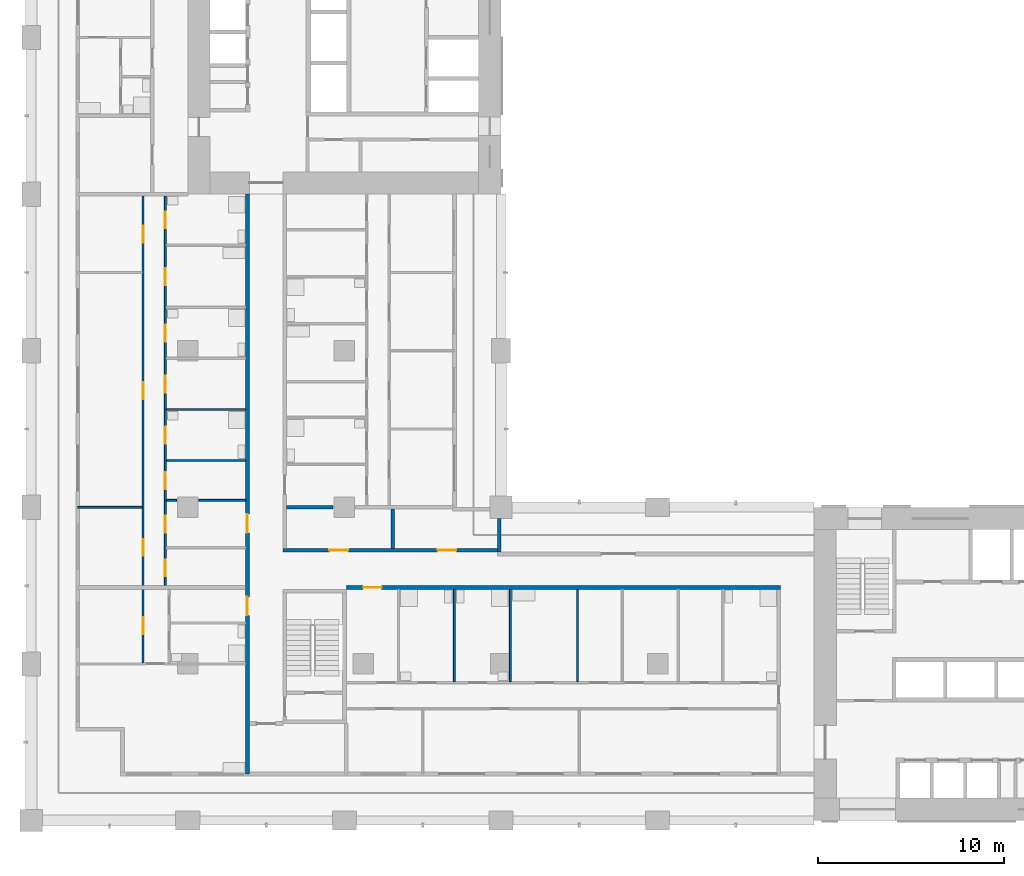
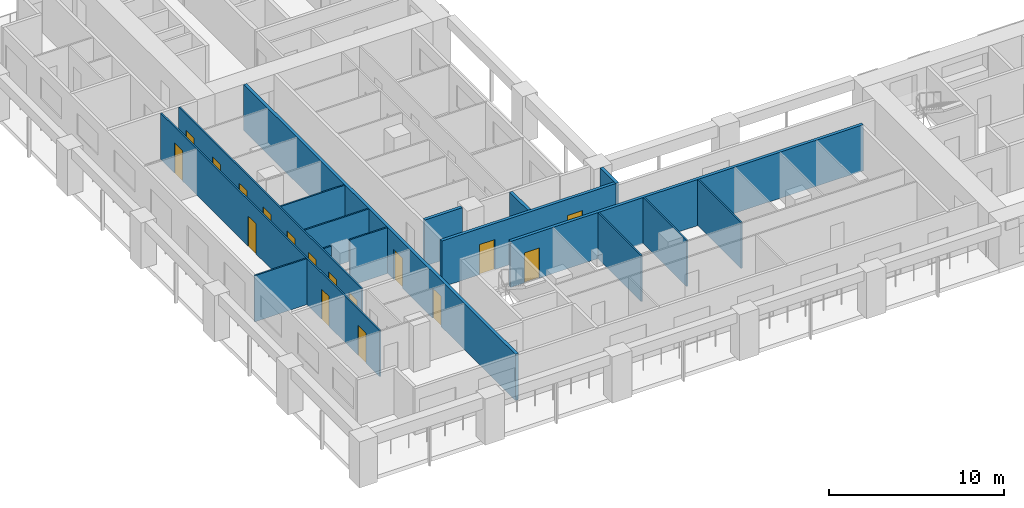
# One storey, part 3 of 16: 17 doors, 16 walls, 17 openings.
"""IFC4 building model written with IfcOpenShell, lengths in metres."""

from ifc_helpers import new_model, si_unit, direction, frame, frame_2d, origin, place, context, subcontext, project, spatial, rectangle, extrude, material, layer, layer_set, type_object, element, fill, save


model = new_model("IFC4")

# Units and contexts
model_context = context("Model", 3, precision=1e-05, world=origin(), true_north=direction((0.0, 1.0)))
body_context = subcontext(model_context, "Body", "Model", "MODEL_VIEW")
ifc_project = project(units=[si_unit("LENGTHUNIT", "METRE"), si_unit("AREAUNIT", "SQUARE_METRE"), si_unit("VOLUMEUNIT", "CUBIC_METRE"), si_unit("PLANEANGLEUNIT", "RADIAN"), si_unit("MASSUNIT", "GRAM", prefix="KILO")], contexts=[model_context])

# Site, building, storey
site_placement = place(None, origin())
site = spatial("IfcSite", under=ifc_project, at=site_placement, CompositionType="ELEMENT")
building_placement = place(site_placement, origin())
building = spatial("IfcBuilding", under=site, at=building_placement, Name="Vermilion Gate Residences", CompositionType="ELEMENT")
storey_placement = place(building_placement, frame((0.0, 0.0, 126.699951171875)))
storey = spatial("IfcBuildingStorey", under=building, at=storey_placement, Name="L32", CompositionType="ELEMENT", Elevation=126.699951171875)

# Walls
ifc_material_1 = material(Name="Insulated steel stud wall with terracotta rainscreen", Category="masonry")
ifc_layer_1 = layer(ifc_material_1, 0.199951171875)
ifc_layer_set_1 = layer_set([ifc_layer_1], Name="EXTERNAL WALL 200 TERRACOTTA RAINSCREEN")
wall_type_1 = type_object("IfcWallType", Name="EXTERNAL WALL 200 TERRACOTTA RAINSCREEN", PredefinedType="SOLIDWALL", material=ifc_layer_set_1)
wall_1_placement = place(storey_placement, frame((25.10009765625, 22.800048828125, 0.0), z_axis=(0.0, 0.0, 1.0), x_axis=(0.0, 1.0, 0.0)))
element("IfcWall", 1, at=wall_1_placement, inside=storey, type_object=wall_type_1, Name="External wall", PredefinedType="SOLIDWALL", context=body_context, shape_type="SweptSolid", body=[
    extrude(rectangle(XDim=1.800048828125, YDim=0.199951171875, at=frame_2d((0.89990234375, 0.0))), origin(), (0.0, 0.0, 1.0), 3.219970703125),
])
ifc_material_2 = material(Name="Plasterboard on steel studs", Category="steel")
ifc_layer_2 = layer(ifc_material_2, 0.10009765625)
ifc_layer_set_2 = layer_set([ifc_layer_2], Name="PARTITION 100")
wall_type_2 = type_object("IfcWallType", Name="PARTITION 100", PredefinedType="PARTITIONING", material=ifc_layer_set_2)
wall_2_placement = place(storey_placement, frame((2.5, 25.199951171875, 0.0), z_axis=(0.0, 0.0, 1.0), x_axis=(1.0, 0.0, 0.0)))
element("IfcWall", 2, at=wall_2_placement, inside=storey, type_object=wall_type_2, Name="Partition", PredefinedType="PARTITIONING", context=body_context, shape_type="SweptSolid", body=[
    extrude(rectangle(XDim=3.449951171875, YDim=0.10009765625, at=frame_2d((1.72509765625, 0.0))), origin(), (0.0, 0.0, 1.0), 3.219970703125),
])
wall_3_placement = place(storey_placement, frame((7.25, 25.574951171875, 0.0), z_axis=(0.0, 0.0, 1.0), x_axis=(1.0, 0.0, 0.0)))
element("IfcWall", 3, at=wall_3_placement, inside=storey, type_object=wall_type_2, Name="Partition", PredefinedType="PARTITIONING", context=body_context, shape_type="SweptSolid", body=[
    extrude(rectangle(XDim=0.550048828125, YDim=0.10009765625, at=frame_2d((0.27490234375, 0.0))), origin(), (0.0, 0.0, 1.0), 3.219970703125),
])
wall_4_placement = place(storey_placement, frame((9.0, 25.574951171875, 0.0), z_axis=(0.0, 0.0, 1.0), x_axis=(1.0, 0.0, 0.0)))
element("IfcWall", 4, at=wall_4_placement, inside=storey, type_object=wall_type_2, Name="Partition", PredefinedType="PARTITIONING", context=body_context, shape_type="SweptSolid", body=[
    extrude(rectangle(XDim=2.5, YDim=0.10009765625, at=frame_2d((1.25, 0.0))), origin(), (0.0, 0.0, 1.0), 3.219970703125),
])
for number, where, z_axis, x_axis, name in (
    (5, (7.25, 27.712890625, 0.0), (0.0, 0.0, 1.0), (1.0, 0.0, 0.0), "Partition"),
    (6, (7.25, 30.449951171875, 0.0), (0.0, 0.0, 1.0), (1.0, 0.0, 0.0), "Partition"),
):
    element("IfcWall", number, at=place(storey_placement, frame(where, z_axis=z_axis, x_axis=x_axis)), inside=storey, type_object=wall_type_2, Name=name, PredefinedType="PARTITIONING", context=body_context, shape_type="SweptSolid", body=[
        extrude(rectangle(XDim=4.25, YDim=0.10009765625, at=frame_2d((2.125, 0.0))), origin(), (0.0, 0.0, 1.0), 3.219970703125),
    ])

# Wall, openings, doors
wall_5_placement = place(storey_placement, frame((6.0, 16.85009765625, 0.0), z_axis=(0.0, 0.0, 1.0), x_axis=(0.0, 1.0, 0.0)))
wall_5 = element("IfcWall", 7, at=wall_5_placement, inside=storey, type_object=wall_type_2, Name="Partition", PredefinedType="PARTITIONING", context=body_context, shape_type="SweptSolid", body=[
    extrude(rectangle(XDim=25.0498046875, YDim=0.10009765625, at=frame_2d((12.52490234375, 0.0))), origin(), (0.0, 0.0, 1.0), 3.219970703125),
])
opening_1_placement = place(wall_5_placement, frame((1.550048828125, 0.0, 0.0)))
opening_1 = element("IfcOpeningElement", 8, at=opening_1_placement, cuts=wall_5, Name="Opening DA32020", PredefinedType="OPENING", context=body_context, shape_type="SweptSolid", body=[
    extrude(rectangle(XDim=0.89990234375, YDim=2.10009765625, at=frame_2d((0.449951171875, 1.050048828125))), frame((0.0, 0.06005859375, 0.0), z_axis=(0.0, -1.0, 0.0), x_axis=(1.0, 0.0, 0.0)), (0.0, 0.0, 1.0), 0.1201171875),
])
opening_2_placement = place(wall_5_placement, frame((5.75, 0.0, 0.0)))
opening_2 = element("IfcOpeningElement", 9, at=opening_2_placement, cuts=wall_5, Name="Opening DA32021", PredefinedType="OPENING", context=body_context, shape_type="SweptSolid", body=[
    extrude(rectangle(XDim=0.89990234375, YDim=2.10009765625, at=frame_2d((0.449951171875, 1.050048828125))), frame((0.0, 0.06005859375, 0.0), z_axis=(0.0, -1.0, 0.0), x_axis=(1.0, 0.0, 0.0)), (0.0, 0.0, 1.0), 0.1201171875),
])
opening_3_placement = place(wall_5_placement, frame((14.14990234375, 0.0, 0.0)))
opening_3 = element("IfcOpeningElement", 10, at=opening_3_placement, cuts=wall_5, Name="Opening DA32022", PredefinedType="OPENING", context=body_context, shape_type="SweptSolid", body=[
    extrude(rectangle(XDim=0.89990234375, YDim=2.10009765625, at=frame_2d((0.449951171875, 1.050048828125))), frame((0.0, 0.06005859375, 0.0), z_axis=(0.0, -1.0, 0.0), x_axis=(1.0, 0.0, 0.0)), (0.0, 0.0, 1.0), 0.1201171875),
])
opening_4_placement = place(wall_5_placement, frame((22.550048828125, 0.0, 0.0)))
opening_4 = element("IfcOpeningElement", 11, at=opening_4_placement, cuts=wall_5, Name="Opening DA32023", PredefinedType="OPENING", context=body_context, shape_type="SweptSolid", body=[
    extrude(rectangle(XDim=0.89990234375, YDim=2.10009765625, at=frame_2d((0.449951171875, 1.050048828125))), frame((0.0, 0.06005859375, 0.0), z_axis=(0.0, -1.0, 0.0), x_axis=(1.0, 0.0, 0.0)), (0.0, 0.0, 1.0), 0.1201171875),
])
ifc_material_3 = material(Name="Timber", Category="wood")
door_type_1 = type_object("IfcDoorType", Name="INTERIOR DOOR 900 X 2100", OperationType="SINGLE_SWING_LEFT", PredefinedType="DOOR", material=ifc_material_3)
door_1_placement = place(opening_1_placement, origin())
door_1 = element("IfcDoor", 12, at=door_1_placement, inside=storey, type_object=door_type_1, Name="Interior door", OperationType="SINGLE_SWING_RIGHT", OverallHeight=2.10009765625, OverallWidth=0.89990234375, PredefinedType="DOOR", context=body_context, shape_type="SweptSolid", body=[
    extrude(rectangle(XDim=0.89990234375, YDim=2.10009765625, at=frame_2d((0.449951171875, 1.050048828125))), frame((0.0, 0.02490234375, 0.0), z_axis=(0.0, -1.0, 0.0), x_axis=(1.0, 0.0, 0.0)), (0.0, 0.0, 1.0), 0.050048828125),
])
fill(opening_1, door_1)
door_2_placement = place(opening_2_placement, origin())
door_2 = element("IfcDoor", 13, at=door_2_placement, inside=storey, type_object=door_type_1, Name="Interior door", OperationType="SINGLE_SWING_LEFT", OverallHeight=2.10009765625, OverallWidth=0.89990234375, PredefinedType="DOOR", context=body_context, shape_type="SweptSolid", body=[
    extrude(rectangle(XDim=0.89990234375, YDim=2.10009765625, at=frame_2d((0.449951171875, 1.050048828125))), frame((0.0, 0.02490234375, 0.0), z_axis=(0.0, -1.0, 0.0), x_axis=(1.0, 0.0, 0.0)), (0.0, 0.0, 1.0), 0.050048828125),
])
fill(opening_2, door_2)
door_3_placement = place(opening_3_placement, origin())
door_3 = element("IfcDoor", 14, at=door_3_placement, inside=storey, type_object=door_type_1, Name="Interior door", OperationType="SINGLE_SWING_LEFT", OverallHeight=2.10009765625, OverallWidth=0.89990234375, PredefinedType="DOOR", context=body_context, shape_type="SweptSolid", body=[
    extrude(rectangle(XDim=0.89990234375, YDim=2.10009765625, at=frame_2d((0.449951171875, 1.050048828125))), frame((0.0, 0.02490234375, 0.0), z_axis=(0.0, -1.0, 0.0), x_axis=(1.0, 0.0, 0.0)), (0.0, 0.0, 1.0), 0.050048828125),
])
fill(opening_3, door_3)
door_4_placement = place(opening_4_placement, origin())
door_4 = element("IfcDoor", 15, at=door_4_placement, inside=storey, type_object=door_type_1, Name="Interior door", OperationType="SINGLE_SWING_LEFT", OverallHeight=2.10009765625, OverallWidth=0.89990234375, PredefinedType="DOOR", context=body_context, shape_type="SweptSolid", body=[
    extrude(rectangle(XDim=0.89990234375, YDim=2.10009765625, at=frame_2d((0.449951171875, 1.050048828125))), frame((0.0, 0.02490234375, 0.0), z_axis=(0.0, -1.0, 0.0), x_axis=(1.0, 0.0, 0.0)), (0.0, 0.0, 1.0), 0.050048828125),
])
fill(opening_4, door_4)

wall_6_placement = place(storey_placement, frame((7.199951171875, 21.0, 0.0), z_axis=(0.0, 0.0, 1.0), x_axis=(0.0, 1.0, 0.0)))
wall_6 = element("IfcWall", 16, at=wall_6_placement, inside=storey, type_object=wall_type_2, Name="Partition", PredefinedType="PARTITIONING", context=body_context, shape_type="SweptSolid", body=[
    extrude(rectangle(XDim=20.89990234375, YDim=0.10009765625, at=frame_2d((10.449951171875, 0.0))), origin(), (0.0, 0.0, 1.0), 3.219970703125),
])
opening_5_placement = place(wall_6_placement, frame((2.8369140625, 0.0, 0.0)))
opening_5 = element("IfcOpeningElement", 17, at=opening_5_placement, cuts=wall_6, Name="Opening DA32026", PredefinedType="OPENING", context=body_context, shape_type="SweptSolid", body=[
    extrude(rectangle(XDim=0.89990234375, YDim=2.10009765625, at=frame_2d((0.449951171875, 1.050048828125))), frame((0.0, 0.06005859375, 0.0), z_axis=(0.0, -1.0, 0.0), x_axis=(1.0, 0.0, 0.0)), (0.0, 0.0, 1.0), 0.1201171875),
])
opening_6_placement = place(wall_6_placement, frame((0.5, 0.0, 0.0)))
opening_6 = element("IfcOpeningElement", 18, at=opening_6_placement, cuts=wall_6, Name="Opening DA32027", PredefinedType="OPENING", context=body_context, shape_type="SweptSolid", body=[
    extrude(rectangle(XDim=0.89990234375, YDim=2.10009765625, at=frame_2d((0.449951171875, 1.050048828125))), frame((0.0, 0.06005859375, 0.0), z_axis=(0.0, -1.0, 0.0), x_axis=(1.0, 0.0, 0.0)), (0.0, 0.0, 1.0), 0.1201171875),
])
opening_7_placement = place(wall_6_placement, frame((5.175048828125, 0.0, 0.0)))
opening_7 = element("IfcOpeningElement", 19, at=opening_7_placement, cuts=wall_6, Name="Opening DA32028", PredefinedType="OPENING", context=body_context, shape_type="SweptSolid", body=[
    extrude(rectangle(XDim=0.89990234375, YDim=2.10009765625, at=frame_2d((0.449951171875, 1.050048828125))), frame((0.0, 0.06005859375, 0.0), z_axis=(0.0, -1.0, 0.0), x_axis=(1.0, 0.0, 0.0)), (0.0, 0.0, 1.0), 0.1201171875),
])
opening_8_placement = place(wall_6_placement, frame((7.613037109375, 0.0, 0.0)))
opening_8 = element("IfcOpeningElement", 20, at=opening_8_placement, cuts=wall_6, Name="Opening DA32029", PredefinedType="OPENING", context=body_context, shape_type="SweptSolid", body=[
    extrude(rectangle(XDim=0.89990234375, YDim=2.10009765625, at=frame_2d((0.449951171875, 1.050048828125))), frame((0.0, 0.06005859375, 0.0), z_axis=(0.0, -1.0, 0.0), x_axis=(1.0, 0.0, 0.0)), (0.0, 0.0, 1.0), 0.1201171875),
])
opening_9_placement = place(wall_6_placement, frame((10.35009765625, 0.0, 0.0)))
opening_9 = element("IfcOpeningElement", 21, at=opening_9_placement, cuts=wall_6, Name="Opening DA32030", PredefinedType="OPENING", context=body_context, shape_type="SweptSolid", body=[
    extrude(rectangle(XDim=0.89990234375, YDim=2.10009765625, at=frame_2d((0.449951171875, 1.050048828125))), frame((0.0, 0.06005859375, 0.0), z_axis=(0.0, -1.0, 0.0), x_axis=(1.0, 0.0, 0.0)), (0.0, 0.0, 1.0), 0.1201171875),
])
opening_10_placement = place(wall_6_placement, frame((13.087890625, 0.0, 0.0)))
opening_10 = element("IfcOpeningElement", 22, at=opening_10_placement, cuts=wall_6, Name="Opening DA32031", PredefinedType="OPENING", context=body_context, shape_type="SweptSolid", body=[
    extrude(rectangle(XDim=0.89990234375, YDim=2.10009765625, at=frame_2d((0.449951171875, 1.050048828125))), frame((0.0, 0.06005859375, 0.0), z_axis=(0.0, -1.0, 0.0), x_axis=(1.0, 0.0, 0.0)), (0.0, 0.0, 1.0), 0.1201171875),
])
opening_11_placement = place(wall_6_placement, frame((16.125, 0.0, 0.0)))
opening_11 = element("IfcOpeningElement", 23, at=opening_11_placement, cuts=wall_6, Name="Opening DA32032", PredefinedType="OPENING", context=body_context, shape_type="SweptSolid", body=[
    extrude(rectangle(XDim=0.89990234375, YDim=2.10009765625, at=frame_2d((0.449951171875, 1.050048828125))), frame((0.0, 0.06005859375, 0.0), z_axis=(0.0, -1.0, 0.0), x_axis=(1.0, 0.0, 0.0)), (0.0, 0.0, 1.0), 0.1201171875),
])
opening_12_placement = place(wall_6_placement, frame((19.1630859375, 0.0, 0.0)))
opening_12 = element("IfcOpeningElement", 24, at=opening_12_placement, cuts=wall_6, Name="Opening DA32033", PredefinedType="OPENING", context=body_context, shape_type="SweptSolid", body=[
    extrude(rectangle(XDim=0.89990234375, YDim=2.10009765625, at=frame_2d((0.449951171875, 1.050048828125))), frame((0.0, 0.06005859375, 0.0), z_axis=(0.0, -1.0, 0.0), x_axis=(1.0, 0.0, 0.0)), (0.0, 0.0, 1.0), 0.1201171875),
])
door_5_placement = place(opening_5_placement, frame((0.89990234375, 0.0, 0.0), z_axis=(0.0, 0.0, 1.0), x_axis=(-1.0, 0.0, 0.0)))
door_5 = element("IfcDoor", 25, at=door_5_placement, inside=storey, type_object=door_type_1, Name="Interior door", OperationType="SINGLE_SWING_RIGHT", OverallHeight=2.10009765625, OverallWidth=0.89990234375, PredefinedType="DOOR", context=body_context, shape_type="SweptSolid", body=[
    extrude(rectangle(XDim=0.89990234375, YDim=2.10009765625, at=frame_2d((0.449951171875, 1.050048828125))), frame((0.0, 0.02490234375, 0.0), z_axis=(0.0, -1.0, 0.0), x_axis=(1.0, 0.0, 0.0)), (0.0, 0.0, 1.0), 0.050048828125),
])
fill(opening_5, door_5)
door_6_placement = place(opening_6_placement, frame((0.89990234375, 0.0, 0.0), z_axis=(0.0, 0.0, 1.0), x_axis=(-1.0, 0.0, 0.0)))
door_6 = element("IfcDoor", 26, at=door_6_placement, inside=storey, type_object=door_type_1, Name="Interior door", OperationType="SINGLE_SWING_RIGHT", OverallHeight=2.10009765625, OverallWidth=0.89990234375, PredefinedType="DOOR", context=body_context, shape_type="SweptSolid", body=[
    extrude(rectangle(XDim=0.89990234375, YDim=2.10009765625, at=frame_2d((0.449951171875, 1.050048828125))), frame((0.0, 0.02490234375, 0.0), z_axis=(0.0, -1.0, 0.0), x_axis=(1.0, 0.0, 0.0)), (0.0, 0.0, 1.0), 0.050048828125),
])
fill(opening_6, door_6)
door_7_placement = place(opening_7_placement, frame((0.89990234375, 0.0, 0.0), z_axis=(0.0, 0.0, 1.0), x_axis=(-1.0, 0.0, 0.0)))
door_7 = element("IfcDoor", 27, at=door_7_placement, inside=storey, type_object=door_type_1, Name="Interior door", OperationType="SINGLE_SWING_RIGHT", OverallHeight=2.10009765625, OverallWidth=0.89990234375, PredefinedType="DOOR", context=body_context, shape_type="SweptSolid", body=[
    extrude(rectangle(XDim=0.89990234375, YDim=2.10009765625, at=frame_2d((0.449951171875, 1.050048828125))), frame((0.0, 0.02490234375, 0.0), z_axis=(0.0, -1.0, 0.0), x_axis=(1.0, 0.0, 0.0)), (0.0, 0.0, 1.0), 0.050048828125),
])
fill(opening_7, door_7)
door_8_placement = place(opening_8_placement, frame((0.89990234375, 0.0, 0.0), z_axis=(0.0, 0.0, 1.0), x_axis=(-1.0, 0.0, 0.0)))
door_8 = element("IfcDoor", 28, at=door_8_placement, inside=storey, type_object=door_type_1, Name="Interior door", OperationType="SINGLE_SWING_LEFT", OverallHeight=2.10009765625, OverallWidth=0.89990234375, PredefinedType="DOOR", context=body_context, shape_type="SweptSolid", body=[
    extrude(rectangle(XDim=0.89990234375, YDim=2.10009765625, at=frame_2d((0.449951171875, 1.050048828125))), frame((0.0, 0.02490234375, 0.0), z_axis=(0.0, -1.0, 0.0), x_axis=(1.0, 0.0, 0.0)), (0.0, 0.0, 1.0), 0.050048828125),
])
fill(opening_8, door_8)
door_9_placement = place(opening_9_placement, frame((0.89990234375, 0.0, 0.0), z_axis=(0.0, 0.0, 1.0), x_axis=(-1.0, 0.0, 0.0)))
door_9 = element("IfcDoor", 29, at=door_9_placement, inside=storey, type_object=door_type_1, Name="Interior door", OperationType="SINGLE_SWING_RIGHT", OverallHeight=2.10009765625, OverallWidth=0.89990234375, PredefinedType="DOOR", context=body_context, shape_type="SweptSolid", body=[
    extrude(rectangle(XDim=0.89990234375, YDim=2.10009765625, at=frame_2d((0.449951171875, 1.050048828125))), frame((0.0, 0.02490234375, 0.0), z_axis=(0.0, -1.0, 0.0), x_axis=(1.0, 0.0, 0.0)), (0.0, 0.0, 1.0), 0.050048828125),
])
fill(opening_9, door_9)
door_10_placement = place(opening_10_placement, frame((0.89990234375, 0.0, 0.0), z_axis=(0.0, 0.0, 1.0), x_axis=(-1.0, 0.0, 0.0)))
door_10 = element("IfcDoor", 30, at=door_10_placement, inside=storey, type_object=door_type_1, Name="Interior door", OperationType="SINGLE_SWING_LEFT", OverallHeight=2.10009765625, OverallWidth=0.89990234375, PredefinedType="DOOR", context=body_context, shape_type="SweptSolid", body=[
    extrude(rectangle(XDim=0.89990234375, YDim=2.10009765625, at=frame_2d((0.449951171875, 1.050048828125))), frame((0.0, 0.02490234375, 0.0), z_axis=(0.0, -1.0, 0.0), x_axis=(1.0, 0.0, 0.0)), (0.0, 0.0, 1.0), 0.050048828125),
])
fill(opening_10, door_10)
door_11_placement = place(opening_11_placement, frame((0.89990234375, 0.0, 0.0), z_axis=(0.0, 0.0, 1.0), x_axis=(-1.0, 0.0, 0.0)))
door_11 = element("IfcDoor", 31, at=door_11_placement, inside=storey, type_object=door_type_1, Name="Interior door", OperationType="SINGLE_SWING_RIGHT", OverallHeight=2.10009765625, OverallWidth=0.89990234375, PredefinedType="DOOR", context=body_context, shape_type="SweptSolid", body=[
    extrude(rectangle(XDim=0.89990234375, YDim=2.10009765625, at=frame_2d((0.449951171875, 1.050048828125))), frame((0.0, 0.02490234375, 0.0), z_axis=(0.0, -1.0, 0.0), x_axis=(1.0, 0.0, 0.0)), (0.0, 0.0, 1.0), 0.050048828125),
])
fill(opening_11, door_11)
door_12_placement = place(opening_12_placement, frame((0.89990234375, 0.0, 0.0), z_axis=(0.0, 0.0, 1.0), x_axis=(-1.0, 0.0, 0.0)))
door_12 = element("IfcDoor", 32, at=door_12_placement, inside=storey, type_object=door_type_1, Name="Interior door", OperationType="SINGLE_SWING_LEFT", OverallHeight=2.10009765625, OverallWidth=0.89990234375, PredefinedType="DOOR", context=body_context, shape_type="SweptSolid", body=[
    extrude(rectangle(XDim=0.89990234375, YDim=2.10009765625, at=frame_2d((0.449951171875, 1.050048828125))), frame((0.0, 0.02490234375, 0.0), z_axis=(0.0, -1.0, 0.0), x_axis=(1.0, 0.0, 0.0)), (0.0, 0.0, 1.0), 0.050048828125),
])
fill(opening_12, door_12)

# Walls
for number, where, z_axis, x_axis, name in (
    (33, (22.699951171875, 15.85009765625, 0.0), (0.0, 0.0, 1.0), (0.0, 1.0, 0.0), "Partition"),
    (34, (25.699951171875, 15.85009765625, 0.0), (0.0, 0.0, 1.0), (0.0, 1.0, 0.0), "Partition"),
    (35, (29.300048828125, 15.85009765625, 0.0), (0.0, 0.0, 1.0), (0.0, 1.0, 0.0), "Partition"),
):
    element("IfcWall", number, at=place(storey_placement, frame(where, z_axis=z_axis, x_axis=x_axis)), inside=storey, type_object=wall_type_2, Name=name, PredefinedType="PARTITIONING", context=body_context, shape_type="SweptSolid", body=[
        extrude(rectangle(XDim=4.949951171875, YDim=0.10009765625, at=frame_2d((2.47509765625, 0.0))), origin(), (0.0, 0.0, 1.0), 3.219970703125),
    ])

# Wall, opening, door
ifc_material_4 = material(Name="Fire-rated plasterboard on steel studs", Category="steel")
ifc_layer_3 = layer(ifc_material_4, 0.199951171875)
ifc_layer_set_3 = layer_set([ifc_layer_3], Name="PARTY WALL 200 EI 120")
wall_type_3 = type_object("IfcWallType", Name="PARTY WALL 200 EI 120", PredefinedType="PARTITIONING", material=ifc_layer_set_3)
wall_7_placement = place(storey_placement, frame((16.89990234375, 20.89990234375, 0.0), z_axis=(0.0, 0.0, 1.0), x_axis=(1.0, 0.0, 0.0)))
wall_7 = element("IfcWall", 36, at=wall_7_placement, inside=storey, type_object=wall_type_3, Name="Party and corridor wall", PredefinedType="PARTITIONING", context=body_context, shape_type="SweptSolid", body=[
    extrude(rectangle(XDim=23.300048828125, YDim=0.199951171875, at=frame_2d((11.64990234375, 0.0))), origin(), (0.0, 0.0, 1.0), 3.219970703125),
])
opening_13_placement = place(wall_7_placement, frame((0.89990234375, 0.0, 0.0)))
opening_13 = element("IfcOpeningElement", 37, at=opening_13_placement, cuts=wall_7, Name="Opening DA32014", PredefinedType="OPENING", context=body_context, shape_type="SweptSolid", body=[
    extrude(rectangle(XDim=1.0, YDim=2.10009765625, at=frame_2d((0.5, 1.050048828125))), frame((0.0, 0.10986328125, 0.0), z_axis=(0.0, -1.0, 0.0), x_axis=(1.0, 0.0, 0.0)), (0.0, 0.0, 1.0), 0.219970703125),
])
ifc_material_5 = material(Name="Steel", Category="steel")
door_type_2 = type_object("IfcDoorType", Name="ENTRANCE DOOR 1000 X 2100 FD30", OperationType="SINGLE_SWING_LEFT", PredefinedType="DOOR", material=ifc_material_5)
door_13_placement = place(opening_13_placement, frame((1.0, 0.0, 0.0), z_axis=(0.0, 0.0, 1.0), x_axis=(-1.0, 0.0, 0.0)))
door_13 = element("IfcDoor", 38, at=door_13_placement, inside=storey, type_object=door_type_2, Name="Entrance door", OperationType="SINGLE_SWING_LEFT", OverallHeight=2.10009765625, OverallWidth=1.0, PredefinedType="DOOR", context=body_context, shape_type="SweptSolid", body=[
    extrude(rectangle(XDim=1.0, YDim=2.10009765625, at=frame_2d((0.5, 1.050048828125))), frame((0.0, 0.02490234375, 0.0), z_axis=(0.0, -1.0, 0.0), x_axis=(1.0, 0.0, 0.0)), (0.0, 0.0, 1.0), 0.050048828125),
])
fill(opening_13, door_13)

# Wall, openings, doors
wall_8_placement = place(storey_placement, frame((13.5, 22.89990234375, 0.0), z_axis=(0.0, 0.0, 1.0), x_axis=(1.0, 0.0, 0.0)))
wall_8 = element("IfcWall", 39, at=wall_8_placement, inside=storey, type_object=wall_type_3, Name="Party and corridor wall", PredefinedType="PARTITIONING", context=body_context, shape_type="SweptSolid", body=[
    extrude(rectangle(XDim=11.60009765625, YDim=0.199951171875, at=frame_2d((5.800048828125, 0.0))), origin(), (0.0, 0.0, 1.0), 3.219970703125),
])
opening_14_placement = place(wall_8_placement, frame((2.5, 0.0, 0.0)))
opening_14 = element("IfcOpeningElement", 40, at=opening_14_placement, cuts=wall_8, Name="Opening DA32015", PredefinedType="OPENING", context=body_context, shape_type="SweptSolid", body=[
    extrude(rectangle(XDim=1.0, YDim=2.10009765625, at=frame_2d((0.5, 1.050048828125))), frame((0.0, 0.10986328125, 0.0), z_axis=(0.0, -1.0, 0.0), x_axis=(1.0, 0.0, 0.0)), (0.0, 0.0, 1.0), 0.219970703125),
])
opening_15_placement = place(wall_8_placement, frame((8.300048828125, 0.0, 0.0)))
opening_15 = element("IfcOpeningElement", 41, at=opening_15_placement, cuts=wall_8, Name="Opening DA32016", PredefinedType="OPENING", context=body_context, shape_type="SweptSolid", body=[
    extrude(rectangle(XDim=1.0, YDim=2.10009765625, at=frame_2d((0.5, 1.050048828125))), frame((0.0, 0.10986328125, 0.0), z_axis=(0.0, -1.0, 0.0), x_axis=(1.0, 0.0, 0.0)), (0.0, 0.0, 1.0), 0.219970703125),
])
door_14_placement = place(opening_14_placement, origin())
door_14 = element("IfcDoor", 42, at=door_14_placement, inside=storey, type_object=door_type_2, Name="Entrance door", OperationType="SINGLE_SWING_RIGHT", OverallHeight=2.10009765625, OverallWidth=1.0, PredefinedType="DOOR", context=body_context, shape_type="SweptSolid", body=[
    extrude(rectangle(XDim=1.0, YDim=2.10009765625, at=frame_2d((0.5, 1.050048828125))), frame((0.0, 0.02490234375, 0.0), z_axis=(0.0, -1.0, 0.0), x_axis=(1.0, 0.0, 0.0)), (0.0, 0.0, 1.0), 0.050048828125),
])
fill(opening_14, door_14)
door_15_placement = place(opening_15_placement, origin())
door_15 = element("IfcDoor", 43, at=door_15_placement, inside=storey, type_object=door_type_2, Name="Entrance door", OperationType="SINGLE_SWING_RIGHT", OverallHeight=2.10009765625, OverallWidth=1.0, PredefinedType="DOOR", context=body_context, shape_type="SweptSolid", body=[
    extrude(rectangle(XDim=1.0, YDim=2.10009765625, at=frame_2d((0.5, 1.050048828125))), frame((0.0, 0.02490234375, 0.0), z_axis=(0.0, -1.0, 0.0), x_axis=(1.0, 0.0, 0.0)), (0.0, 0.0, 1.0), 0.050048828125),
])
fill(opening_15, door_15)

# Wall
wall_9_placement = place(storey_placement, frame((13.699951171875, 25.199951171875, 0.0), z_axis=(0.0, 0.0, 1.0), x_axis=(1.0, 0.0, 0.0)))
element("IfcWall", 44, at=wall_9_placement, inside=storey, type_object=wall_type_3, Name="Party and corridor wall", PredefinedType="PARTITIONING", context=body_context, shape_type="SweptSolid", body=[
    extrude(rectangle(XDim=2.5, YDim=0.199951171875, at=frame_2d((1.25, 0.0))), origin(), (0.0, 0.0, 1.0), 3.219970703125),
])

# Wall, openings, doors
wall_10_placement = place(storey_placement, frame((11.60009765625, 10.89990234375, 0.0), z_axis=(0.0, 0.0, 1.0), x_axis=(0.0, 1.0, 0.0)))
wall_10 = element("IfcWall", 45, at=wall_10_placement, inside=storey, type_object=wall_type_3, Name="Party and corridor wall", PredefinedType="PARTITIONING", context=body_context, shape_type="SweptSolid", body=[
    extrude(rectangle(XDim=31.10009765625, YDim=0.199951171875, at=frame_2d((15.550048828125, 0.0))), origin(), (0.0, 0.0, 1.0), 3.219970703125),
])
opening_16_placement = place(wall_10_placement, frame((8.5, 0.0, 0.0)))
opening_16 = element("IfcOpeningElement", 46, at=opening_16_placement, cuts=wall_10, Name="Opening DA32036", PredefinedType="OPENING", context=body_context, shape_type="SweptSolid", body=[
    extrude(rectangle(XDim=1.0, YDim=2.10009765625, at=frame_2d((0.5, 1.050048828125))), frame((0.0, 0.10986328125, 0.0), z_axis=(0.0, -1.0, 0.0), x_axis=(1.0, 0.0, 0.0)), (0.0, 0.0, 1.0), 0.219970703125),
])
opening_17_placement = place(wall_10_placement, frame((12.93701171875, 0.0, 0.0)))
opening_17 = element("IfcOpeningElement", 47, at=opening_17_placement, cuts=wall_10, Name="Opening DA32037", PredefinedType="OPENING", context=body_context, shape_type="SweptSolid", body=[
    extrude(rectangle(XDim=1.0, YDim=2.10009765625, at=frame_2d((0.5, 1.050048828125))), frame((0.0, 0.10986328125, 0.0), z_axis=(0.0, -1.0, 0.0), x_axis=(1.0, 0.0, 0.0)), (0.0, 0.0, 1.0), 0.219970703125),
])
door_16_placement = place(opening_16_placement, origin())
door_16 = element("IfcDoor", 48, at=door_16_placement, inside=storey, type_object=door_type_2, Name="Entrance door", OperationType="SINGLE_SWING_LEFT", OverallHeight=2.10009765625, OverallWidth=1.0, PredefinedType="DOOR", context=body_context, shape_type="SweptSolid", body=[
    extrude(rectangle(XDim=1.0, YDim=2.10009765625, at=frame_2d((0.5, 1.050048828125))), frame((0.0, 0.02490234375, 0.0), z_axis=(0.0, -1.0, 0.0), x_axis=(1.0, 0.0, 0.0)), (0.0, 0.0, 1.0), 0.050048828125),
])
fill(opening_16, door_16)
door_17_placement = place(opening_17_placement, origin())
door_17 = element("IfcDoor", 49, at=door_17_placement, inside=storey, type_object=door_type_2, Name="Entrance door", OperationType="SINGLE_SWING_RIGHT", OverallHeight=2.10009765625, OverallWidth=1.0, PredefinedType="DOOR", context=body_context, shape_type="SweptSolid", body=[
    extrude(rectangle(XDim=1.0, YDim=2.10009765625, at=frame_2d((0.5, 1.050048828125))), frame((0.0, 0.02490234375, 0.0), z_axis=(0.0, -1.0, 0.0), x_axis=(1.0, 0.0, 0.0)), (0.0, 0.0, 1.0), 0.050048828125),
])
fill(opening_17, door_17)

# Wall
wall_11_placement = place(storey_placement, frame((19.39990234375, 23.0, 0.0), z_axis=(0.0, 0.0, 1.0), x_axis=(0.0, 1.0, 0.0)))
element("IfcWall", 50, at=wall_11_placement, inside=storey, type_object=wall_type_3, Name="Party and corridor wall", PredefinedType="PARTITIONING", context=body_context, shape_type="SweptSolid", body=[
    extrude(rectangle(XDim=2.10009765625, YDim=0.199951171875, at=frame_2d((1.050048828125, 0.0))), origin(), (0.0, 0.0, 1.0), 3.219970703125),
])

save(model, "model.ifc")
